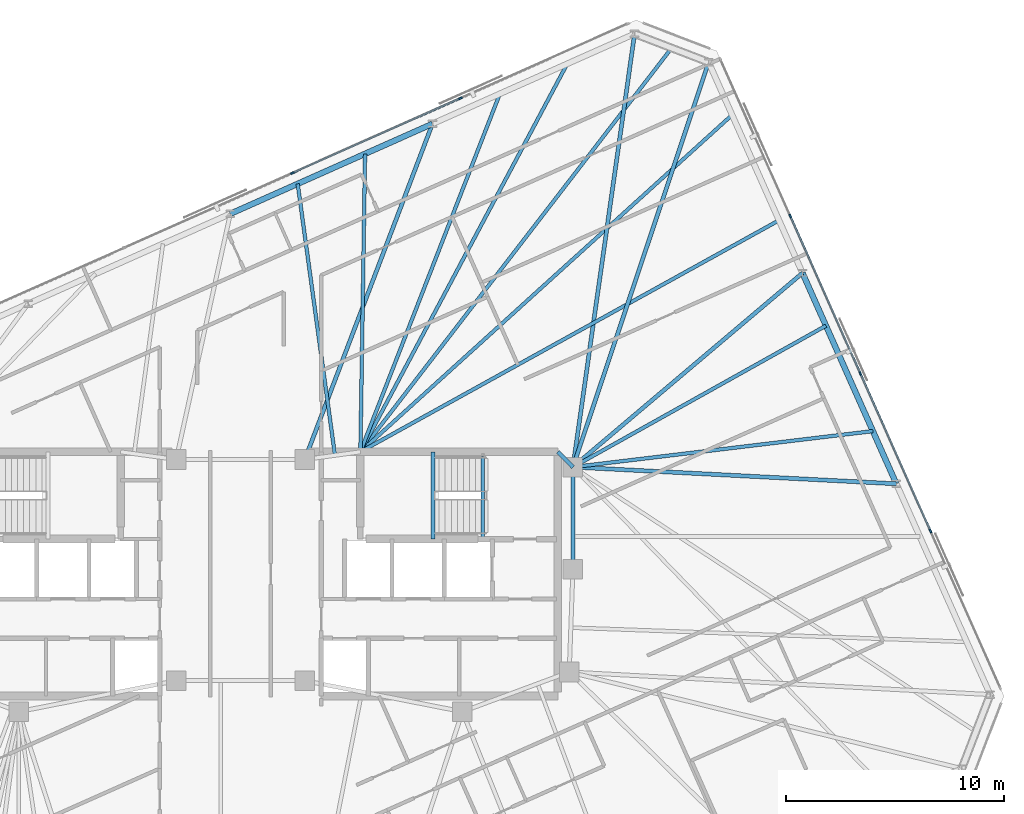
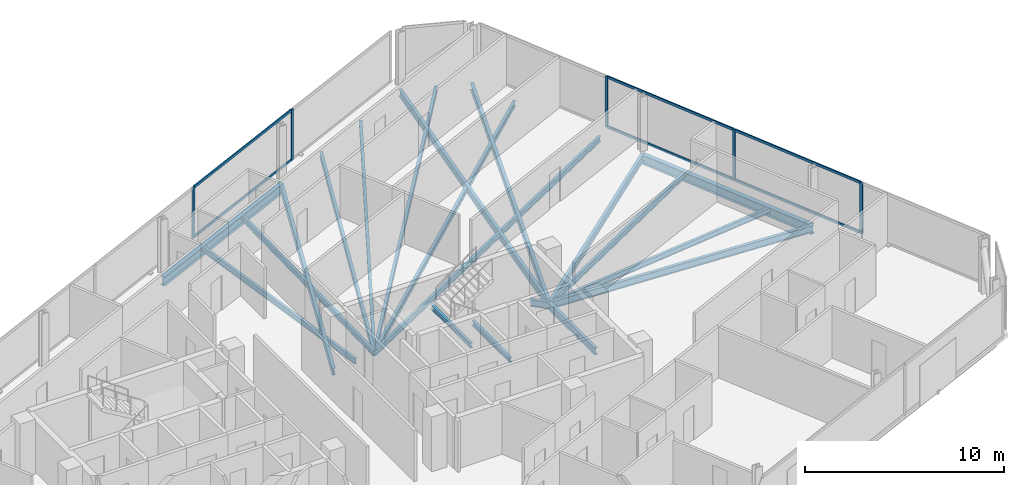
# One storey, part 10 of 19: 20 beams, 11 members, 2 elements without a shape of their own.
"""IFC4 building model written with IfcOpenShell, lengths in metres."""

from ifc_helpers import new_model, si_unit, direction, frame, origin, origin_2d, place, context, subcontext, project, spatial, rectangle, i_section, extrude, material, material_profile, profile_set, type_object, element, aggregate, save


model = new_model("IFC4")

# Units and contexts
model_context = context("Model", 3, precision=1e-05, world=origin(), true_north=direction((0.0, 1.0)))
body_context = subcontext(model_context, "Body", "Model", "MODEL_VIEW")
ifc_project = project(units=[si_unit("LENGTHUNIT", "METRE"), si_unit("AREAUNIT", "SQUARE_METRE"), si_unit("VOLUMEUNIT", "CUBIC_METRE"), si_unit("PLANEANGLEUNIT", "RADIAN"), si_unit("MASSUNIT", "GRAM", prefix="KILO")], contexts=[model_context])

# Site, building, storey
site_placement = place(None, origin())
site = spatial("IfcSite", under=ifc_project, at=site_placement, CompositionType="ELEMENT")
building_placement = place(site_placement, origin())
building = spatial("IfcBuilding", under=site, at=building_placement, Name="Menara Jurai Vektor", CompositionType="ELEMENT")
storey_placement = place(building_placement, frame((0.0, 0.0, 295.300048828125)))
storey = spatial("IfcBuildingStorey", under=building, at=storey_placement, Name="L79", CompositionType="ELEMENT", Elevation=295.300048828125)

# Curtain wall, members
ifc_material_1 = material(Name="Anodised Pale Aluminium & Low-E Double Glazing", Category="aluminium")
curtain_wall_type = type_object("IfcCurtainWallType", Name="CW-BLK5", PredefinedType="NOTDEFINED", material=ifc_material_1)
curtain_wall_1_placement = place(storey_placement, origin())
curtain_wall_1 = element("IfcCurtainWall", 1, at=curtain_wall_1_placement, inside=storey, type_object=curtain_wall_type, Name="Unitised Curtain Wall L79 F03", PredefinedType="NOTDEFINED")
ifc_material_2 = material(Name="Anodised Pale Aluminium Mullion", Category="aluminium")
ifc_material_profile_1 = material_profile(ifc_material_2, rectangle(XDim=0.074951171875, YDim=0.175048828125, at=origin_2d()), Name="ALU MUL 75x175")
ifc_profile_set_1 = profile_set([ifc_material_profile_1], Name="Anodised Pale Aluminium Mullion")
member_type_1 = type_object("IfcMemberType", Name="CW-BLK5-MUL", PredefinedType="MULLION", material=ifc_profile_set_1)
member_1_placement = place(storey_placement, frame((31.6533203125, 1.9658203125, 0.0), z_axis=(0.0, 0.0, 1.0), x_axis=(-0.913546127706, -0.406735138086, 0.0)))
member_1 = element("IfcMember", 2, at=member_1_placement, type_object=member_type_1, Name="CW-05 mullion 2", PredefinedType="MULLION", context=body_context, shape_type="SweptSolid", body=[
    extrude(rectangle(XDim=0.074951171875, YDim=0.175048828125, at=origin_2d()), origin(), (0.0, 0.0, 1.0), 3.125),
])
member_2_placement = place(storey_placement, frame((28.43603515625, 9.19189453125, 0.0), z_axis=(0.0, 0.0, 1.0), x_axis=(-0.913546127706, -0.406735138086, 0.0)))
member_2 = element("IfcMember", 3, at=member_2_placement, type_object=member_type_1, Name="CW-05 mullion 3", PredefinedType="MULLION", context=body_context, shape_type="SweptSolid", body=[
    extrude(rectangle(XDim=0.074951171875, YDim=0.175048828125, at=origin_2d()), origin(), (0.0, 0.0, 1.0), 3.125),
])
member_3_placement = place(storey_placement, frame((25.21875, 16.418212890625, 0.0), z_axis=(0.0, 0.0, 1.0), x_axis=(-0.913546127706, -0.406735138086, 0.0)))
member_3 = element("IfcMember", 4, at=member_3_placement, type_object=member_type_1, Name="CW-05 mullion 4", PredefinedType="MULLION", context=body_context, shape_type="SweptSolid", body=[
    extrude(rectangle(XDim=0.074951171875, YDim=0.175048828125, at=origin_2d()), origin(), (0.0, 0.0, 1.0), 3.125),
])

curtain_wall_2_placement = place(storey_placement, origin())
curtain_wall_2 = element("IfcCurtainWall", 5, at=curtain_wall_2_placement, inside=storey, type_object=curtain_wall_type, Name="Unitised Curtain Wall L79 F05", PredefinedType="NOTDEFINED")
member_4_placement = place(storey_placement, frame((10.0927734375, 21.822998046875, 0.0), z_axis=(0.0, 0.0, 1.0), x_axis=(0.406735498684, -0.913545967158, 0.0)))
member_4 = element("IfcMember", 6, at=member_4_placement, type_object=member_type_1, Name="CW-05 mullion 2", PredefinedType="MULLION", context=body_context, shape_type="SweptSolid", body=[
    extrude(rectangle(XDim=0.074951171875, YDim=0.175048828125, at=origin_2d()), origin(), (0.0, 0.0, 1.0), 3.125),
])
member_5_placement = place(storey_placement, frame((2.38232421875, 18.39013671875, 0.0), z_axis=(0.0, 0.0, 1.0), x_axis=(0.406735498684, -0.913545967158, 0.0)))
member_5 = element("IfcMember", 7, at=member_5_placement, type_object=member_type_1, Name="CW-05 mullion 3", PredefinedType="MULLION", context=body_context, shape_type="SweptSolid", body=[
    extrude(rectangle(XDim=0.074951171875, YDim=0.175048828125, at=origin_2d()), origin(), (0.0, 0.0, 1.0), 3.125),
])

# Member
ifc_material_3 = material(Name="Anodised Pale Aluminium Transom", Category="aluminium")
ifc_material_profile_2 = material_profile(ifc_material_3, rectangle(XDim=0.074951171875, YDim=0.155029296875, at=origin_2d()), Name="ALU TRN 75x155")
ifc_profile_set_2 = profile_set([ifc_material_profile_2], Name="Anodised Pale Aluminium Transom")
member_type_2 = type_object("IfcMemberType", Name="CW-BLK5-TRN", PredefinedType="USERDEFINED", material=ifc_profile_set_2)
member_6_placement = place(storey_placement, frame((31.63818359375, 2.0, 0.037353515625), z_axis=(-0.406731062496, 0.913547942256, 0.0), x_axis=(-0.913547942256, -0.406731062496, 0.0)))
member_6 = element("IfcMember", 8, at=member_6_placement, type_object=member_type_2, Name="CW-05 transom 2.1", ObjectType="TRANSOM", PredefinedType="USERDEFINED", context=body_context, shape_type="SweptSolid", body=[
    extrude(rectangle(XDim=0.074951171875, YDim=0.155029296875, at=origin_2d()), origin(), (0.0, 0.0, 1.0), 7.8349609375),
])

member_7_placement = place(storey_placement, frame((31.63818359375, 2.0, 3.08740234375), z_axis=(-0.406731062496, 0.913547942256, 0.0), x_axis=(-0.913547942256, -0.406731062496, 0.0)))
member_7 = element("IfcMember", 9, at=member_7_placement, type_object=member_type_2, Name="CW-05 transom 2.2", ObjectType="TRANSOM", PredefinedType="USERDEFINED", context=body_context, shape_type="SweptSolid", body=[
    extrude(rectangle(XDim=0.074951171875, YDim=0.155029296875, at=origin_2d()), origin(), (0.0, 0.0, 1.0), 7.8349609375),
])

member_8_placement = place(storey_placement, frame((28.4208984375, 9.226318359375, 0.037353515625), z_axis=(-0.40674264085, 0.913542787238, 0.0), x_axis=(-0.913542787238, -0.40674264085, 0.0)))
member_8 = element("IfcMember", 10, at=member_8_placement, type_object=member_type_2, Name="CW-05 transom 3.1", ObjectType="TRANSOM", PredefinedType="USERDEFINED", context=body_context, shape_type="SweptSolid", body=[
    extrude(rectangle(XDim=0.074951171875, YDim=0.155029296875, at=origin_2d()), origin(), (0.0, 0.0, 1.0), 7.8349609375),
])

member_9_placement = place(storey_placement, frame((28.4208984375, 9.226318359375, 3.08740234375), z_axis=(-0.40674264085, 0.913542787238, 0.0), x_axis=(-0.913542787238, -0.40674264085, 0.0)))
member_9 = element("IfcMember", 11, at=member_9_placement, type_object=member_type_2, Name="CW-05 transom 3.2", ObjectType="TRANSOM", PredefinedType="USERDEFINED", context=body_context, shape_type="SweptSolid", body=[
    extrude(rectangle(XDim=0.074951171875, YDim=0.155029296875, at=origin_2d()), origin(), (0.0, 0.0, 1.0), 7.8349609375),
])

aggregate(curtain_wall_1, [member_1, member_2, member_3, member_6, member_7, member_8, member_9])

member_10_placement = place(storey_placement, frame((10.058349609375, 21.807861328125, 0.037353515625), z_axis=(-0.913546575494, -0.406734132331, 0.0), x_axis=(0.406734132331, -0.913546575494, 0.0)))
member_10 = element("IfcMember", 12, at=member_10_placement, type_object=member_type_2, Name="CW-05 transom 2.1", ObjectType="TRANSOM", PredefinedType="USERDEFINED", context=body_context, shape_type="SweptSolid", body=[
    extrude(rectangle(XDim=0.074951171875, YDim=0.155029296875, at=origin_2d()), origin(), (0.0, 0.0, 1.0), 8.364990234375),
])

member_11_placement = place(storey_placement, frame((10.058349609375, 21.807861328125, 3.08740234375), z_axis=(-0.913546575494, -0.406734132331, 0.0), x_axis=(0.406734132331, -0.913546575494, 0.0)))
member_11 = element("IfcMember", 13, at=member_11_placement, type_object=member_type_2, Name="CW-05 transom 2.2", ObjectType="TRANSOM", PredefinedType="USERDEFINED", context=body_context, shape_type="SweptSolid", body=[
    extrude(rectangle(XDim=0.074951171875, YDim=0.155029296875, at=origin_2d()), origin(), (0.0, 0.0, 1.0), 8.364990234375),
])

aggregate(curtain_wall_2, [member_4, member_5, member_10, member_11])

# Beams
ifc_material_4 = material(Name="Steel S355", Category="steel")
ifc_material_profile_3 = material_profile(ifc_material_4, i_section(OverallWidth=0.18505859375, OverallDepth=0.429931640625, WebThickness=0.010986328125, FlangeThickness=0.01806640625, at=origin_2d()), Name="PG 430x185x76")
ifc_profile_set_3 = profile_set([ifc_material_profile_3], Name="Steel S355")
beam_type_1 = type_object("IfcBeamType", Name="STR-BM-430", PredefinedType="BEAM", material=ifc_profile_set_3)
beam_1_placement = place(storey_placement, frame((14.56005859375, 5.60009765625, -0.43994140625), z_axis=(0.701871936926, -0.712303154672, 0.0), x_axis=(0.712303154672, 0.701871936926, 0.0)))
element("IfcBeam", 14, at=beam_1_placement, inside=storey, type_object=beam_type_1, Name="Core Ring Header Girder L79-CHE-N2", PredefinedType="BEAM", context=body_context, shape_type="SweptSolid", body=[
    extrude(i_section(OverallWidth=0.18505859375, OverallDepth=0.429931640625, WebThickness=0.010986328125, FlangeThickness=0.01806640625, at=origin_2d()), origin(), (0.0, 0.0, 1.0), 0.98291015625),
])
beam_2_placement = place(storey_placement, frame((15.25, 0.219970703125, -0.43994140625), z_axis=(0.0, 1.0, 0.0), x_axis=(-1.0, 0.0, 0.0)))
element("IfcBeam", 15, at=beam_2_placement, inside=storey, type_object=beam_type_1, Name="Core Ring Header Girder L79-CHE-E1", PredefinedType="BEAM", context=body_context, shape_type="SweptSolid", body=[
    extrude(i_section(OverallWidth=0.18505859375, OverallDepth=0.429931640625, WebThickness=0.010986328125, FlangeThickness=0.01806640625, at=origin_2d()), origin(), (0.0, 0.0, 1.0), 4.679931640625),
])
beam_3_placement = place(storey_placement, frame((30.086181640625, 4.13330078125, -0.43994140625), z_axis=(-0.998667716832, 0.051602241782, 0.0), x_axis=(-0.051602241782, -0.998667716832, 0.0)))
element("IfcBeam", 16, at=beam_3_placement, inside=storey, type_object=beam_type_1, Name="Radial Floor Girder L79-E2", PredefinedType="BEAM", context=body_context, shape_type="SweptSolid", body=[
    extrude(i_section(OverallWidth=0.18505859375, OverallDepth=0.429931640625, WebThickness=0.010986328125, FlangeThickness=0.01806640625, at=origin_2d()), origin(), (0.0, 0.0, 1.0), 14.85595703125),
])
beam_4_placement = place(storey_placement, frame((25.781005859375, 13.80322265625, -0.43994140625), z_axis=(-0.763655500673, -0.6456239434, 0.0), x_axis=(0.6456239434, -0.763655500673, 0.0)))
element("IfcBeam", 17, at=beam_4_placement, inside=storey, type_object=beam_type_1, Name="Radial Floor Girder L79-E3", PredefinedType="BEAM", context=body_context, shape_type="SweptSolid", body=[
    extrude(i_section(OverallWidth=0.18505859375, OverallDepth=0.429931640625, WebThickness=0.010986328125, FlangeThickness=0.01806640625, at=origin_2d()), origin(), (0.0, 0.0, 1.0), 13.790283203125),
])
beam_5_placement = place(storey_placement, frame((21.4755859375, 23.473388671875, -0.43994140625), z_axis=(-0.317808893183, -0.948154790851, 0.0), x_axis=(0.948154790851, -0.317808893183, 0.0)))
element("IfcBeam", 18, at=beam_5_placement, inside=storey, type_object=beam_type_1, Name="Radial Floor Girder L79-E4", PredefinedType="BEAM", context=body_context, shape_type="SweptSolid", body=[
    extrude(i_section(OverallWidth=0.18505859375, OverallDepth=0.429931640625, WebThickness=0.010986328125, FlangeThickness=0.01806640625, at=origin_2d()), origin(), (0.0, 0.0, 1.0), 19.589111328125),
])
beam_6_placement = place(storey_placement, frame((18.07958984375, 24.777099609375, -0.43994140625), z_axis=(-0.140932755913, -0.990019170678, 0.0), x_axis=(0.990019170678, -0.140932755913, 0.0)))
element("IfcBeam", 19, at=beam_6_placement, inside=storey, type_object=beam_type_1, Name="Radial Floor Girder L79-N1", PredefinedType="BEAM", context=body_context, shape_type="SweptSolid", body=[
    extrude(i_section(OverallWidth=0.18505859375, OverallDepth=0.429931640625, WebThickness=0.010986328125, FlangeThickness=0.01806640625, at=origin_2d()), origin(), (0.0, 0.0, 1.0), 20.07763671875),
])
beam_7_placement = place(storey_placement, frame((8.805908203125, 20.648193359375, -0.43994140625), z_axis=(-0.355464051758, -0.934689952823, 0.0), x_axis=(0.934689952823, -0.355464051758, 0.0)))
element("IfcBeam", 20, at=beam_7_placement, inside=storey, type_object=beam_type_1, Name="Radial Floor Girder L79-N2", PredefinedType="BEAM", context=body_context, shape_type="SweptSolid", body=[
    extrude(i_section(OverallWidth=0.18505859375, OverallDepth=0.429931640625, WebThickness=0.010986328125, FlangeThickness=0.01806640625, at=origin_2d()), origin(), (0.0, 0.0, 1.0), 16.47412109375),
])
ifc_material_profile_4 = material_profile(ifc_material_4, i_section(OverallWidth=0.1650390625, OverallDepth=0.330078125, WebThickness=0.009033203125, FlangeThickness=0.013916015625, at=origin_2d()), Name="PG 330x165x46")
ifc_profile_set_4 = profile_set([ifc_material_profile_4], Name="Steel S355")
beam_type_2 = type_object("IfcBeamType", Name="STR-JS-330", PredefinedType="JOIST", material=ifc_profile_set_4)
beam_8_placement = place(storey_placement, frame((29.010009765625, 6.55078125, -0.39013671875), z_axis=(-0.992879589053, -0.119122296999, 0.0), x_axis=(0.119122296999, -0.992879589053, 0.0)))
element("IfcBeam", 21, at=beam_8_placement, inside=storey, type_object=beam_type_2, Name="Radial Secondary Floor Joist L79-JS10", PredefinedType="JOIST", context=body_context, shape_type="SweptSolid", body=[
    extrude(i_section(OverallWidth=0.1650390625, OverallDepth=0.330078125, WebThickness=0.009033203125, FlangeThickness=0.013916015625, at=origin_2d()), origin(), (0.0, 0.0, 1.0), 13.858642578125),
])
beam_9_placement = place(storey_placement, frame((26.857177734375, 11.3857421875, -0.39013671875), z_axis=(-0.872960269613, -0.487791315705, 0.0), x_axis=(0.487791315705, -0.872960269613, 0.0)))
element("IfcBeam", 22, at=beam_9_placement, inside=storey, type_object=beam_type_2, Name="Radial Secondary Floor Joist L79-JS11", PredefinedType="JOIST", context=body_context, shape_type="SweptSolid", body=[
    extrude(i_section(OverallWidth=0.1650390625, OverallDepth=0.330078125, WebThickness=0.009033203125, FlangeThickness=0.013916015625, at=origin_2d()), origin(), (0.0, 0.0, 1.0), 13.29638671875),
])
beam_10_placement = place(storey_placement, frame((24.70458984375, 16.220703125, -0.39013671875), z_axis=(-0.87509599458, -0.483949377797, 0.0), x_axis=(0.483949377797, -0.87509599458, 0.0)))
element("IfcBeam", 23, at=beam_10_placement, inside=storey, type_object=beam_type_2, Name="Radial Secondary Floor Joist L79-JS12", PredefinedType="JOIST", context=body_context, shape_type="SweptSolid", body=[
    extrude(i_section(OverallWidth=0.1650390625, OverallDepth=0.330078125, WebThickness=0.009033203125, FlangeThickness=0.013916015625, at=origin_2d()), origin(), (0.0, 0.0, 1.0), 21.94580078125),
])
beam_11_placement = place(storey_placement, frame((22.552001953125, 21.055908203125, -0.39013671875), z_axis=(-0.74093432875, -0.67157748658, 0.0), x_axis=(0.67157748658, -0.74093432875, 0.0)))
element("IfcBeam", 24, at=beam_11_placement, inside=storey, type_object=beam_type_2, Name="Radial Secondary Floor Joist L79-JS13", PredefinedType="JOIST", context=body_context, shape_type="SweptSolid", body=[
    extrude(i_section(OverallWidth=0.1650390625, OverallDepth=0.330078125, WebThickness=0.009033203125, FlangeThickness=0.013916015625, at=origin_2d()), origin(), (0.0, 0.0, 1.0), 23.01416015625),
])
beam_12_placement = place(storey_placement, frame((19.777587890625, 24.125244140625, -0.39013671875), z_axis=(-0.610448519134, -0.792055935832, 0.0), x_axis=(0.792055935832, -0.610448519134, 0.0)))
element("IfcBeam", 25, at=beam_12_placement, inside=storey, type_object=beam_type_2, Name="Radial Secondary Floor Joist L79-JS14", PredefinedType="JOIST", context=body_context, shape_type="SweptSolid", body=[
    extrude(i_section(OverallWidth=0.1650390625, OverallDepth=0.330078125, WebThickness=0.009033203125, FlangeThickness=0.013916015625, at=origin_2d()), origin(), (0.0, 0.0, 1.0), 23.388671875),
])
beam_13_placement = place(storey_placement, frame((14.98828125, 23.400634765625, -0.39013671875), z_axis=(-0.470382173413, -0.882462809945, 0.0), x_axis=(0.882462809945, -0.470382173413, 0.0)))
element("IfcBeam", 26, at=beam_13_placement, inside=storey, type_object=beam_type_2, Name="Radial Secondary Floor Joist L79-JS15", PredefinedType="JOIST", context=body_context, shape_type="SweptSolid", body=[
    extrude(i_section(OverallWidth=0.1650390625, OverallDepth=0.330078125, WebThickness=0.009033203125, FlangeThickness=0.013916015625, at=origin_2d()), origin(), (0.0, 0.0, 1.0), 20.17138671875),
])
beam_14_placement = place(storey_placement, frame((11.897216796875, 22.0244140625, -0.39013671875), z_axis=(-0.36293816309, -0.931813226872, 0.0), x_axis=(0.931813226872, -0.36293816309, 0.0)))
element("IfcBeam", 27, at=beam_14_placement, inside=storey, type_object=beam_type_2, Name="Radial Secondary Floor Joist L79-JS16", PredefinedType="JOIST", context=body_context, shape_type="SweptSolid", body=[
    extrude(i_section(OverallWidth=0.1650390625, OverallDepth=0.330078125, WebThickness=0.009033203125, FlangeThickness=0.013916015625, at=origin_2d()), origin(), (0.0, 0.0, 1.0), 17.626220703125),
])
beam_15_placement = place(storey_placement, frame((5.71484375, 19.27197265625, -0.39013671875), z_axis=(-0.01571234584, -0.999876553475, 0.0), x_axis=(0.999876553475, -0.01571234584, 0.0)))
element("IfcBeam", 28, at=beam_15_placement, inside=storey, type_object=beam_type_2, Name="Radial Secondary Floor Joist L79-JS17", PredefinedType="JOIST", context=body_context, shape_type="SweptSolid", body=[
    extrude(i_section(OverallWidth=0.1650390625, OverallDepth=0.330078125, WebThickness=0.009033203125, FlangeThickness=0.013916015625, at=origin_2d()), origin(), (0.0, 0.0, 1.0), 13.673583984375),
])
beam_16_placement = place(storey_placement, frame((2.62353515625, 17.8955078125, -0.39013671875), z_axis=(0.13599011119, -0.990710194587, 0.0), x_axis=(0.990710194587, 0.13599011119, 0.0)))
element("IfcBeam", 29, at=beam_16_placement, inside=storey, type_object=beam_type_2, Name="Radial Secondary Floor Joist L79-JS18", PredefinedType="JOIST", context=body_context, shape_type="SweptSolid", body=[
    extrude(i_section(OverallWidth=0.1650390625, OverallDepth=0.330078125, WebThickness=0.009033203125, FlangeThickness=0.013916015625, at=origin_2d()), origin(), (0.0, 0.0, 1.0), 12.572265625),
])
ifc_material_profile_5 = material_profile(ifc_material_4, i_section(OverallWidth=0.1650390625, OverallDepth=0.302978515625, WebThickness=0.006103515625, FlangeThickness=0.010009765625, FilletRadius=0.009033203125, at=origin_2d()), Name="UKB 305x165x40")
ifc_profile_set_5 = profile_set([ifc_material_profile_5], Name="Steel S355")
beam_type_3 = type_object("IfcBeamType", Name="STR-LN-305", PredefinedType="LINTEL", material=ifc_profile_set_5)
beam_17_placement = place(storey_placement, frame((11.1201171875, 1.60009765625, -0.37646484375), z_axis=(0.0, 1.0, 0.0), x_axis=(-1.0, 0.0, 0.0)))
element("IfcBeam", 30, at=beam_17_placement, inside=storey, type_object=beam_type_3, Name="Stair Well Floor Trimmer ST2 L79", PredefinedType="LINTEL", context=body_context, shape_type="SweptSolid", body=[
    extrude(i_section(OverallWidth=0.1650390625, OverallDepth=0.302978515625, WebThickness=0.006103515625, FlangeThickness=0.010009765625, FilletRadius=0.009033203125, at=origin_2d()), origin(), (0.0, 0.0, 1.0), 3.81982421875),
])
beam_18_placement = place(storey_placement, frame((8.830078125, 1.60009765625, 1.323486328125), z_axis=(0.0, 1.0, 0.0), x_axis=(-1.0, 0.0, 0.0)))
element("IfcBeam", 31, at=beam_18_placement, inside=storey, type_object=beam_type_3, Name="Stair Half-Landing Nosing Trimmer ST2-1 L79", PredefinedType="LINTEL", context=body_context, shape_type="SweptSolid", body=[
    extrude(i_section(OverallWidth=0.1650390625, OverallDepth=0.302978515625, WebThickness=0.006103515625, FlangeThickness=0.010009765625, FilletRadius=0.009033203125, at=origin_2d()), origin(), (0.0, 0.0, 1.0), 4.0),
])
ifc_material_profile_6 = material_profile(ifc_material_4, i_section(OverallWidth=0.260009765625, OverallDepth=0.570068359375, WebThickness=0.013916015625, FlangeThickness=0.02392578125, at=origin_2d()), Name="PG 570x260x145")
ifc_profile_set_6 = profile_set([ifc_material_profile_6], Name="Steel S355")
beam_type_4 = type_object("IfcBeamType", Name="STR-SP-570", PredefinedType="SPANDREL", material=ifc_profile_set_6)
beam_19_placement = place(storey_placement, frame((30.086181640625, 4.13330078125, -0.510009765625), z_axis=(-0.406724751578, 0.913550751986, 0.0), x_axis=(-0.913550751986, -0.406724751578, 0.0)))
element("IfcBeam", 32, at=beam_19_placement, inside=storey, type_object=beam_type_4, Name="Exoskeleton Spandrel Beam L79-08", PredefinedType="SPANDREL", context=body_context, shape_type="SweptSolid", body=[
    extrude(i_section(OverallWidth=0.260009765625, OverallDepth=0.570068359375, WebThickness=0.013916015625, FlangeThickness=0.02392578125, at=origin_2d()), origin(), (0.0, 0.0, 1.0), 10.5849609375),
])
beam_20_placement = place(storey_placement, frame((8.805908203125, 20.648193359375, -0.510009765625), z_axis=(-0.913541582548, -0.406745346568, 0.0), x_axis=(0.406745346568, -0.913541582548, 0.0)))
element("IfcBeam", 33, at=beam_20_placement, inside=storey, type_object=beam_type_4, Name="Exoskeleton Spandrel Beam L79-12", PredefinedType="SPANDREL", context=body_context, shape_type="SweptSolid", body=[
    extrude(i_section(OverallWidth=0.260009765625, OverallDepth=0.570068359375, WebThickness=0.013916015625, FlangeThickness=0.02392578125, at=origin_2d()), origin(), (0.0, 0.0, 1.0), 10.151123046875),
])

save(model, "model.ifc")
